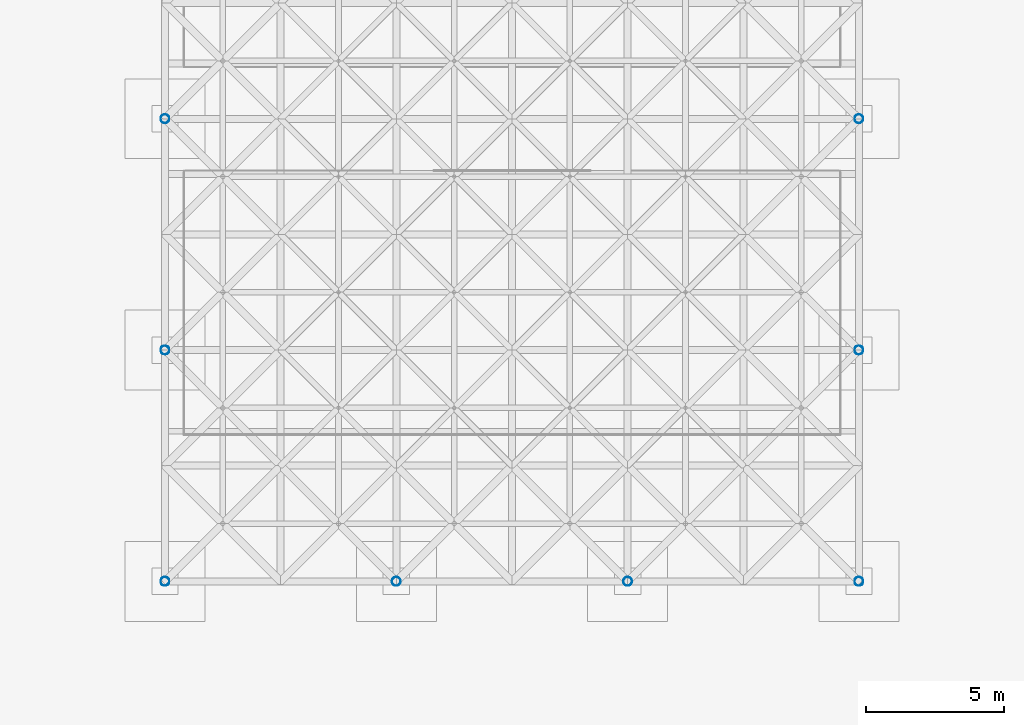
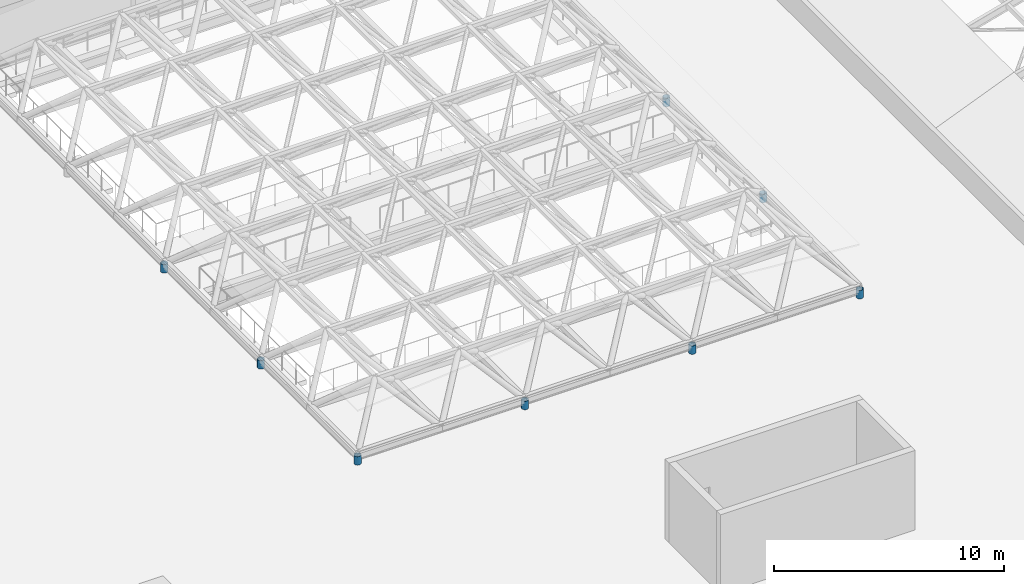
# One storey, part 10 of 85: 8 columns.
"""IFC4 building model written with IfcOpenShell, lengths in metres."""

from ifc_helpers import new_model, si_unit, direction, frame, origin, origin_2d, place, context, subcontext, project, spatial, hollow_circle, extrude, material, material_profile, profile_set, type_object, element, save


model = new_model("IFC4")

# Units and contexts
model_context = context("Model", 3, precision=1e-05, world=origin(), true_north=direction((0.0, 1.0)))
body_context = subcontext(model_context, "Body", "Model", "MODEL_VIEW")
ifc_project = project(units=[si_unit("LENGTHUNIT", "METRE"), si_unit("AREAUNIT", "SQUARE_METRE"), si_unit("VOLUMEUNIT", "CUBIC_METRE"), si_unit("PLANEANGLEUNIT", "RADIAN"), si_unit("MASSUNIT", "GRAM", prefix="KILO")], contexts=[model_context])

# Site, building, storey
site_placement = place(None, origin())
site = spatial("IfcSite", under=ifc_project, at=site_placement, CompositionType="ELEMENT")
building_placement = place(site_placement, origin())
building = spatial("IfcBuilding", under=site, at=building_placement, Name="Almacenes y Pasaje Nevantli", CompositionType="ELEMENT")
storey_placement = place(building_placement, frame((0.0, 0.0, 22.199951171875)))
storey = spatial("IfcBuildingStorey", under=building, at=storey_placement, Name="L05", CompositionType="ELEMENT", Elevation=22.199951171875)

# Columns
ifc_material = material(Name="Steel ASTM A500 Grade C", Category="steel")
ifc_material_profile = material_profile(ifc_material, hollow_circle(Radius=0.161865234375, WallThickness=0.009521484375, at=origin_2d()), Name="OC 324x9.5")
ifc_profile_set = profile_set([ifc_material_profile], Name="Steel ASTM A500 Grade C")
column_type = type_object("IfcColumnType", Name="COL-STL-OC324", PredefinedType="COLUMN", material=ifc_profile_set)
for number, where, z_axis, x_axis, name in (
    (1, (33.60009765625, 42.0, 0.0), (0.0, 0.0, 1.0), (1.0, 0.0, 0.0), "Atrium Skylight Space Frame Pedestal (33.6,42.0)"),
    (2, (33.60009765625, 50.39990234375, 0.0), (0.0, 0.0, 1.0), (1.0, 0.0, 0.0), "Atrium Skylight Space Frame Pedestal (33.6,50.4)"),
    (3, (33.60009765625, 58.800048828125, 0.0), (0.0, 0.0, 1.0), (1.0, 0.0, 0.0), "Atrium Skylight Space Frame Pedestal (33.6,58.8)"),
    (4, (42.0, 42.0, 0.0), (0.0, 0.0, 1.0), (1.0, 0.0, 0.0), "Atrium Skylight Space Frame Pedestal (42.0,42.0)"),
    (5, (50.39990234375, 42.0, 0.0), (0.0, 0.0, 1.0), (1.0, 0.0, 0.0), "Atrium Skylight Space Frame Pedestal (50.4,42.0)"),
    (6, (58.800048828125, 42.0, 0.0), (0.0, 0.0, 1.0), (1.0, 0.0, 0.0), "Atrium Skylight Space Frame Pedestal (58.8,42.0)"),
    (7, (58.800048828125, 50.39990234375, 0.0), (0.0, 0.0, 1.0), (1.0, 0.0, 0.0), "Atrium Skylight Space Frame Pedestal (58.8,50.4)"),
    (8, (58.800048828125, 58.800048828125, 0.0), (0.0, 0.0, 1.0), (1.0, 0.0, 0.0), "Atrium Skylight Space Frame Pedestal (58.8,58.8)"),
):
    element("IfcColumn", number, at=place(storey_placement, frame(where, z_axis=z_axis, x_axis=x_axis)), inside=storey, type_object=column_type, Name=name, PredefinedType="COLUMN", context=body_context, shape_type="SweptSolid", body=[
        extrude(hollow_circle(Radius=0.161865234375, WallThickness=0.009521484375, at=origin_2d()), origin(), (0.0, 0.0, 1.0), 0.449951171875),
    ])

save(model, "model.ifc")
